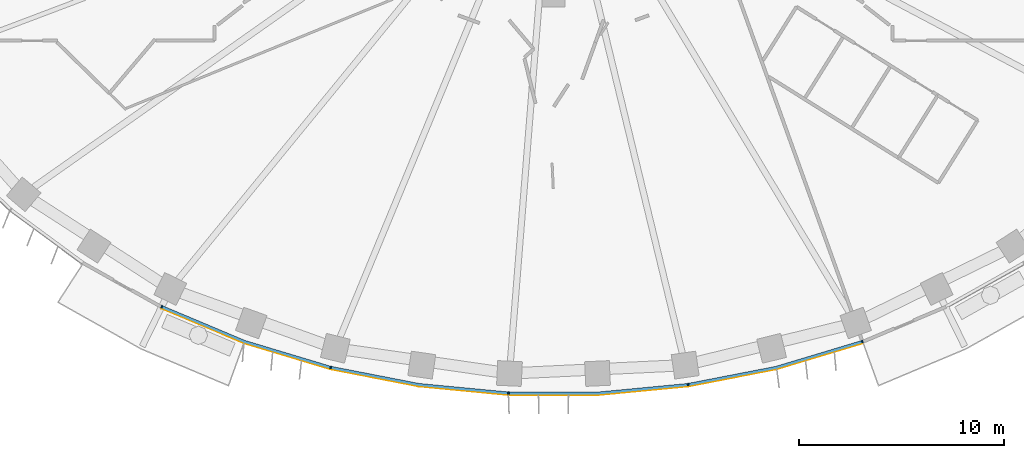
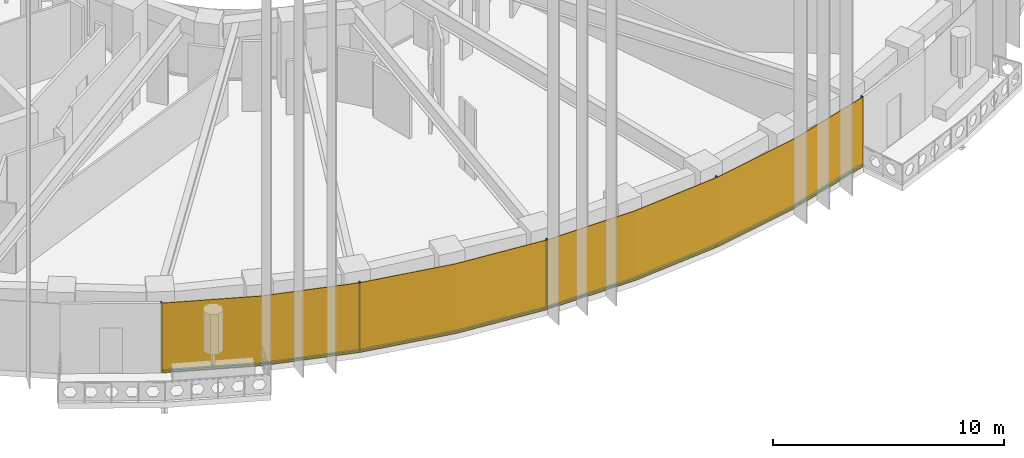
# One storey, part 9 of 19: 9 members, 1 curtain wall.
"""IFC4 building model written with IfcOpenShell, lengths in metres."""

import ifcopenshell
import ifcopenshell.guid

model = None  # the IFC model being written
_history = None  # IfcOwnerHistory: only IFC2X3 demands one
_inside = {}  # id of a spatial element -> (the spatial element, [elements in it])
_under = {}  # id of a project, library or spatial element -> (it, [spatial elements below it])
_declared = {}  # id of a project -> (the project, [libraries it declares])
_typed = {}  # id of a type object -> (the type object, [elements of that type])
_made_of = {}  # id of a material, layer set ... -> (it, [elements and type objects made of it])


def new_model(schema):
    """Start an empty IFC model of exactly this schema.

    Asked for "IFC4X3", IfcOpenShell would pick the latest addendum, in which some entities
    have other attributes; the version numbers below select the first issue.
    IFC2X3 requires an IfcOwnerHistory on every rooted entity: one is made here for all.
    """
    global model, _history
    if schema == "IFC4X3":
        model = ifcopenshell.file(schema_version=(4, 3, 0, 0))
    else:
        model = ifcopenshell.file(schema=schema)
    _inside.clear()
    _under.clear()
    _declared.clear()
    _typed.clear()
    _made_of.clear()
    _history = None
    if model.schema == "IFC2X3":
        org = make("IfcOrganization", Name="unknown")
        user = make(
            "IfcPersonAndOrganization",
            ThePerson=make("IfcPerson", FamilyName="unknown"),
            TheOrganization=org,
        )
        app = make(
            "IfcApplication",
            ApplicationDeveloper=org,
            Version="unknown",
            ApplicationFullName="unknown",
            ApplicationIdentifier="unknown",
        )
        _history = make(
            "IfcOwnerHistory",
            OwningUser=user,
            OwningApplication=app,
            ChangeAction="ADDED",
            CreationDate=0,
        )
    return model


def make(cls, **values):
    """One entity of the class cls with the attributes given. An attribute that is None is left unset."""
    return model.create_entity(
        cls, **{name: value for name, value in values.items() if value is not None}
    )


def rooted(cls, **values):
    """An entity with a GlobalId (a new one), such as an element, a storey or a relation."""
    return make(cls, GlobalId=ifcopenshell.guid.new(), OwnerHistory=_history, **values)


def si_unit(unit_type, name, prefix=None):
    """IfcSIUnit, for example si_unit("LENGTHUNIT", "METRE", prefix="MILLI")."""
    return make("IfcSIUnit", UnitType=unit_type, Prefix=prefix, Name=name)


def assignment(units):
    """IfcUnitAssignment: the units of a project."""
    return None if units is None else make("IfcUnitAssignment", Units=units)


def point(xyz):
    """IfcCartesianPoint."""
    return None if xyz is None else make("IfcCartesianPoint", Coordinates=xyz)


def direction(xyz):
    """IfcDirection."""
    return None if xyz is None else make("IfcDirection", DirectionRatios=xyz)


def frame(location, z_axis=None, x_axis=None):
    """IfcAxis2Placement3D, a coordinate frame: its origin and axes. An axis left out is left unset."""
    return make(
        "IfcAxis2Placement3D",
        Location=point(location),
        Axis=direction(z_axis),
        RefDirection=direction(x_axis),
    )


def frame_2d(location, x_axis=None):
    """IfcAxis2Placement2D, a coordinate frame in the plane: its origin and x axis."""
    return make(
        "IfcAxis2Placement2D", Location=point(location), RefDirection=direction(x_axis)
    )


def origin():
    """The frame at (0, 0, 0) with its axes left unset."""
    return frame((0.0, 0.0, 0.0))


def origin_2d():
    """The frame at (0, 0) in the plane with its x axis left unset."""
    return frame_2d((0.0, 0.0))


def place(relative_to, where):
    """IfcLocalPlacement: puts the frame where relative to a parent placement (None: the world)."""
    return make(
        "IfcLocalPlacement", PlacementRelTo=relative_to, RelativePlacement=where
    )


def context(
    kind, dimensions, precision=None, world=None, true_north=None, identifier=None
):
    """IfcGeometricRepresentationContext, for example the 3D "Model" context."""
    return make(
        "IfcGeometricRepresentationContext",
        ContextIdentifier=identifier,
        ContextType=kind,
        CoordinateSpaceDimension=dimensions,
        Precision=precision,
        WorldCoordinateSystem=world,
        TrueNorth=true_north,
    )


def subcontext(parent, identifier, kind, view, scale=None):
    """IfcGeometricRepresentationSubContext, for example "Body" below "Model"."""
    return make(
        "IfcGeometricRepresentationSubContext",
        ContextIdentifier=identifier,
        ContextType=kind,
        ParentContext=parent,
        TargetScale=scale,
        TargetView=view,
    )


def project(units=None, contexts=None):
    """IfcProject with its units and contexts."""
    return rooted(
        "IfcProject",
        Name="project",
        RepresentationContexts=contexts,
        UnitsInContext=assignment(units),
    )


def spatial(cls, under=None, at=None, **own):
    """A site, building, storey or space (cls), placed at a placement, below another one or the project."""
    s = rooted(cls, ObjectPlacement=at, **own)
    if under is not None:
        _under.setdefault(under.id(), (under, []))[1].append(s)
    return s


def polyline(points):
    """IfcPolyline through the points."""
    return make("IfcPolyline", Points=[point(p) for p in points])


def profile(cls, at=None, kind="AREA", **sizes):
    """A parametric profile (cls). Its sizes go by their IFC names, for example OverallWidth=200.0."""
    return make(cls, ProfileType=kind, Position=at, **sizes)


def rectangle(**sizes):
    """IfcRectangleProfileDef."""
    return profile("IfcRectangleProfileDef", **sizes)


def outline(outer, holes=None, kind="AREA"):
    """IfcArbitraryClosedProfileDef: a profile drawn as a closed curve; with holes, ...WithVoids."""
    if holes is None:
        return make("IfcArbitraryClosedProfileDef", ProfileType=kind, OuterCurve=outer)
    return make(
        "IfcArbitraryProfileDefWithVoids",
        ProfileType=kind,
        OuterCurve=outer,
        InnerCurves=holes,
    )


def extrude(swept, where, along, depth):
    """IfcExtrudedAreaSolid: the profile swept, set in the frame where, extruded along a direction by depth."""
    return make(
        "IfcExtrudedAreaSolid",
        SweptArea=swept,
        Position=where,
        ExtrudedDirection=direction(along),
        Depth=depth,
    )


def shape(context_of_items, identifier, shape_type, items):
    """IfcShapeRepresentation: the items that make up one representation, for example the "Body"."""
    return make(
        "IfcShapeRepresentation",
        ContextOfItems=context_of_items,
        RepresentationIdentifier=identifier,
        RepresentationType=shape_type,
        Items=items,
    )


def material(Name=None, Category=None):
    """IfcMaterial."""
    return make("IfcMaterial", Name=Name, Category=Category)


def layer(
    of_material, thickness, ventilated=None, Name=None, Category=None, Priority=None
):
    """IfcMaterialLayer: one layer of a wall or slab, of a material (None: an air gap)."""
    return make(
        "IfcMaterialLayer",
        Material=of_material,
        LayerThickness=thickness,
        IsVentilated=ventilated,
        Name=Name,
        Category=Category,
        Priority=Priority,
    )


def layer_set(layers, Name=None):
    """IfcMaterialLayerSet."""
    return make("IfcMaterialLayerSet", MaterialLayers=layers, LayerSetName=Name)


def material_profile(
    of_material, cross_section, Name=None, Category=None, Priority=None
):
    """IfcMaterialProfile: a cross section and its material."""
    return make(
        "IfcMaterialProfile",
        Name=Name,
        Material=of_material,
        Profile=cross_section,
        Priority=Priority,
        Category=Category,
    )


def profile_set(profiles, Name=None, composite=None):
    """IfcMaterialProfileSet."""
    return make(
        "IfcMaterialProfileSet",
        Name=Name,
        MaterialProfiles=profiles,
        CompositeProfile=composite,
    )


def made_of(thing, what):
    """Note that an element or type object is made of a material, layer set ...; save() writes the relation."""
    if what is not None:
        _made_of.setdefault(what.id(), (what, []))[1].append(thing)
    return thing


def type_object(cls, material=None, **own):
    """A type object (cls), such as IfcWallType, which elements share."""
    return made_of(rooted(cls, **own), material)


def element(
    cls,
    number,
    at=None,
    inside=None,
    cuts=None,
    type_object=None,
    material=None,
    context=None,
    identifier="Body",
    shape_type=None,
    held_by="IfcProductDefinitionShape",
    body=None,
    shapes=None,
    **own,
):
    """One element of the class cls, such as IfcWall. Its Tag is "e" and its number.

    at: its placement. inside: the storey or other place that contains it. cuts: it is an
    opening in that element (IfcRelVoidsElement). A single representation is given by context,
    identifier, shape_type and body (its items); several are given by shapes. held_by: the class
    of the entity that holds the representations. save() writes the other relations.
    """
    e = rooted(cls, Tag="e%d" % number, ObjectPlacement=at, **own)
    if body is not None:
        shapes = [shape(context, identifier, shape_type, body)]
    if shapes is not None:
        e.Representation = make(held_by, Representations=shapes)
    if inside is not None:
        _inside.setdefault(inside.id(), (inside, []))[1].append(e)
    if cuts is not None:
        rooted(
            "IfcRelVoidsElement", RelatingBuildingElement=cuts, RelatedOpeningElement=e
        )
    if type_object is not None:
        _typed.setdefault(type_object.id(), (type_object, []))[1].append(e)
    return made_of(e, material)


def aggregate(whole, parts):
    """IfcRelAggregates: a whole, such as a stair, and the parts it consists of."""
    return rooted("IfcRelAggregates", RelatingObject=whole, RelatedObjects=parts)


def save(model, path):
    """Write the relations noted so far, then the file.

    IfcRelAggregates (storeys below a building ...), IfcRelContainedInSpatialStructure (elements
    in a storey), IfcRelDefinesByType, IfcRelAssociatesMaterial and IfcRelDeclares: one each for
    every whole, place, type object, material and project.
    """
    for whole, parts in _under.values():
        aggregate(whole, parts)
    for where, things in _inside.values():
        rooted(
            "IfcRelContainedInSpatialStructure",
            RelatedElements=things,
            RelatingStructure=where,
        )
    for kind, things in _typed.values():
        rooted("IfcRelDefinesByType", RelatedObjects=things, RelatingType=kind)
    for what, things in _made_of.values():
        rooted("IfcRelAssociatesMaterial", RelatedObjects=things, RelatingMaterial=what)
    for by, libraries in _declared.values():
        rooted("IfcRelDeclares", RelatingContext=by, RelatedDefinitions=libraries)
    model.write(path)


model = new_model("IFC4")

# Units and contexts
model_context = context("Model", 3, precision=1e-05, world=origin(), true_north=direction((0.0, 1.0)))
body_context = subcontext(model_context, "Body", "Model", "MODEL_VIEW")
ifc_project = project(units=[si_unit("LENGTHUNIT", "METRE"), si_unit("AREAUNIT", "SQUARE_METRE"), si_unit("VOLUMEUNIT", "CUBIC_METRE"), si_unit("PLANEANGLEUNIT", "RADIAN"), si_unit("MASSUNIT", "GRAM", prefix="KILO")], contexts=[model_context])

# Member
ifc_material_1 = material(Name="Aluminium 6063-T6 black anodised", Category="aluminium")
ifc_material_profile = material_profile(ifc_material_1, rectangle(XDim=0.1201171875, YDim=0.06005859375, at=origin_2d()), Name="120x60")
ifc_profile_set = profile_set([ifc_material_profile], Name="Aluminium 6063-T6 black anodised")
member_type_1 = type_object("IfcMemberType", Name="ENV-MULLION-A-120", PredefinedType="MULLION", material=ifc_profile_set)
site_placement = place(None, origin())
building_placement = place(site_placement, origin())
storey_placement = place(building_placement, frame((0.0, 0.0, 146.0)))
member_1_placement = place(storey_placement, frame((-19.06787109375, -23.6474609375, 0.0), z_axis=(0.0, 0.0, 1.0), x_axis=(0.439237769837, 0.898370848563, 0.0)))
member_1 = element("IfcMember", 1, at=member_1_placement, type_object=member_type_1, Name="Mullion A radial 31", PredefinedType="MULLION", context=body_context, shape_type="SweptSolid", body=[
    extrude(rectangle(XDim=0.1201171875, YDim=0.06005859375, at=origin_2d()), origin(), (0.0, 0.0, 1.0), 3.699951171875),
])

member_2_placement = place(storey_placement, frame((-10.84326171875, -26.60498046875, 0.0), z_axis=(0.0, 0.0, 1.0), x_axis=(0.239799081534, 0.970822538106, 0.0)))
member_2 = element("IfcMember", 2, at=member_2_placement, type_object=member_type_1, Name="Mullion A radial 33", PredefinedType="MULLION", context=body_context, shape_type="SweptSolid", body=[
    extrude(rectangle(XDim=0.1201171875, YDim=0.06005859375, at=origin_2d()), origin(), (0.0, 0.0, 1.0), 3.699951171875),
])

member_3_placement = place(storey_placement, frame((-2.188720703125, -27.856201171875, 0.0), z_axis=(0.0, 0.0, 1.0), x_axis=(0.047557873581, 0.998868484166, 0.0)))
member_3 = element("IfcMember", 3, at=member_3_placement, type_object=member_type_1, Name="Mullion A radial 35", PredefinedType="MULLION", context=body_context, shape_type="SweptSolid", body=[
    extrude(rectangle(XDim=0.1201171875, YDim=0.06005859375, at=origin_2d()), origin(), (0.0, 0.0, 1.0), 3.699951171875),
])

member_4_placement = place(storey_placement, frame((6.54638671875, -27.440185546875, 0.0), z_axis=(0.0, 0.0, 1.0), x_axis=(-0.143082012705, 0.989710835366, 0.0)))
member_4 = element("IfcMember", 4, at=member_4_placement, type_object=member_type_1, Name="Mullion A radial 37", PredefinedType="MULLION", context=body_context, shape_type="SweptSolid", body=[
    extrude(rectangle(XDim=0.1201171875, YDim=0.06005859375, at=origin_2d()), origin(), (0.0, 0.0, 1.0), 3.699951171875),
])

member_5_placement = place(storey_placement, frame((15.0341796875, -25.34375, 0.0), z_axis=(0.0, 0.0, 1.0), x_axis=(-0.338379256581, 0.941009818608, 0.0)))
member_5 = element("IfcMember", 5, at=member_5_placement, type_object=member_type_1, Name="Mullion A radial 39", PredefinedType="MULLION", context=body_context, shape_type="SweptSolid", body=[
    extrude(rectangle(XDim=0.1201171875, YDim=0.06005859375, at=origin_2d()), origin(), (0.0, 0.0, 1.0), 3.699951171875),
])

ifc_material_2 = material(Name="Aluminium 6063-T6 black anodised", Category="aluminium")
member_type_2 = type_object("IfcMemberType", Name="ENV-TRANSOM-A", PredefinedType="USERDEFINED", material=ifc_material_2)
member_6_placement = place(storey_placement, origin())
member_6 = element("IfcMember", 6, at=member_6_placement, type_object=member_type_2, Name="Transom A radial 31-33", ObjectType="TRANSOM", PredefinedType="USERDEFINED", context=body_context, shape_type="SweptSolid", body=[
    extrude(outline(polyline([(-19.068359375, -23.71240234375), (-15.054443359375, -25.400146484375), (-10.884521484375, -26.655029296875), (-10.855712890625, -26.53857421875), (-15.013916015625, -25.287109375), (-19.015380859375, -23.604248046875), (-19.068359375, -23.71240234375)])), origin(), (0.0, 0.0, 1.0), 0.10009765625),
])

member_7_placement = place(storey_placement, origin())
member_7 = element("IfcMember", 7, at=member_7_placement, type_object=member_type_2, Name="Transom A radial 33-35", ObjectType="TRANSOM", PredefinedType="USERDEFINED", context=body_context, shape_type="SweptSolid", body=[
    extrude(outline(polyline([(-10.830078125, -26.66845703125), (-6.55517578125, -27.49951171875), (-2.219482421875, -27.913330078125), (-2.2138671875, -27.793212890625), (-6.537841796875, -27.380615234375), (-10.80126953125, -26.552001953125), (-10.830078125, -26.66845703125)])), origin(), (0.0, 0.0, 1.0), 0.10009765625),
])

member_8_placement = place(storey_placement, origin())
member_8 = element("IfcMember", 8, at=member_8_placement, type_object=member_type_2, Name="Transom A radial 35-37", ObjectType="TRANSOM", PredefinedType="USERDEFINED", context=body_context, shape_type="SweptSolid", body=[
    extrude(outline(polyline([(-2.163818359375, -27.916015625), (2.191650390625, -27.916015625), (6.527099609375, -27.502197265625), (6.510009765625, -27.38330078125), (2.185791015625, -27.7958984375), (-2.157958984375, -27.7958984375), (-2.163818359375, -27.916015625)])), origin(), (0.0, 0.0, 1.0), 0.10009765625),
])

member_9_placement = place(storey_placement, origin())
member_9 = element("IfcMember", 9, at=member_9_placement, type_object=member_type_2, Name="Transom A radial 37-39", ObjectType="TRANSOM", PredefinedType="USERDEFINED", context=body_context, shape_type="SweptSolid", body=[
    extrude(outline(polyline([(6.58251953125, -27.494140625), (10.857666015625, -26.6630859375), (15.027587890625, -25.408203125), (14.987060546875, -25.295166015625), (10.828857421875, -26.54638671875), (6.5654296875, -27.375244140625), (6.58251953125, -27.494140625)])), origin(), (0.0, 0.0, 1.0), 0.10009765625),
])

# Site, building, storey
site = spatial("IfcSite", under=ifc_project, at=site_placement, CompositionType="ELEMENT")
building = spatial("IfcBuilding", under=site, at=building_placement, Name="Noorbagh Ring Tower", CompositionType="ELEMENT")
storey = spatial("IfcBuildingStorey", under=building, at=storey_placement, Name="L33", CompositionType="ELEMENT", Elevation=146.0)

# Curtain wall
ifc_material_3 = material(Name="Glass dark tinted laminated", Category="glass")
ifc_layer = layer(ifc_material_3, 0.031982421875)
ifc_layer_set = layer_set([ifc_layer], Name="Glass dark tinted laminated")
curtain_wall_type = type_object("IfcCurtainWallType", Name="ENV-CW-A", PredefinedType="NOTDEFINED", material=ifc_layer_set)
curtain_wall_placement = place(storey_placement, origin())
curtain_wall = element("IfcCurtainWall", 10, at=curtain_wall_placement, inside=storey, type_object=curtain_wall_type, Name="Curtain wall A R31", PredefinedType="NOTDEFINED", context=body_context, shape_type="SweptSolid", body=[
    extrude(outline(polyline([(-19.08984375, -23.738037109375), (-15.065185546875, -25.430419921875), (-10.865234375, -26.6943359375), (-6.559814453125, -27.53125), (-2.193115234375, -27.947998046875), (2.193115234375, -27.947998046875), (6.559814453125, -27.53125), (10.865234375, -26.6943359375), (15.046142578125, -25.43603515625), (15.035400390625, -25.406005859375), (10.857666015625, -26.6630859375), (6.55517578125, -27.49951171875), (2.191650390625, -27.916015625), (-2.191650390625, -27.916015625), (-6.55517578125, -27.49951171875), (-10.857666015625, -26.6630859375), (-15.054443359375, -25.400146484375), (-19.07568359375, -23.709228515625), (-19.08984375, -23.738037109375)])), origin(), (0.0, 0.0, 1.0), 3.699951171875),
])

aggregate(curtain_wall, [member_1, member_2, member_3, member_4, member_5, member_6, member_7, member_8, member_9])

save(model, "model.ifc")
